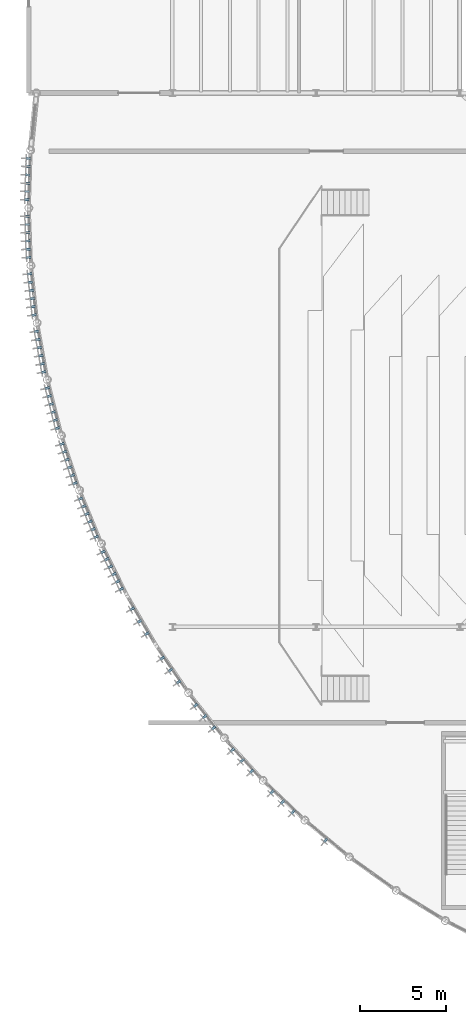
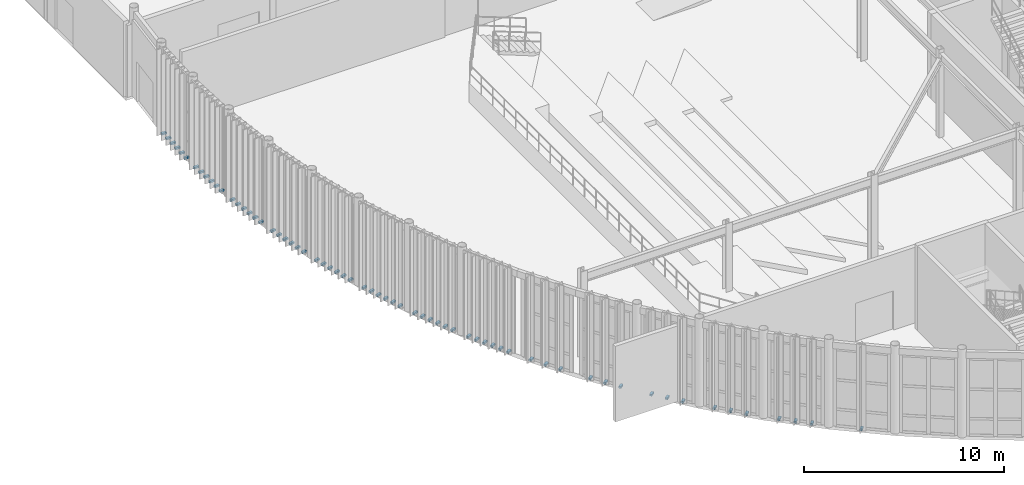
# One storey, part 76 of 87: 64 discrete accessories.
"""IFC4 building model written with IfcOpenShell, lengths in metres."""

from ifc_helpers import new_model, si_unit, direction, frame, origin, origin_2d, place, context, subcontext, project, spatial, rectangle, extrude, material, type_object, element, save


model = new_model("IFC4")

# Units and contexts
model_context = context("Model", 3, precision=1e-05, world=origin(), true_north=direction((0.0, 1.0)))
body_context = subcontext(model_context, "Body", "Model", "MODEL_VIEW")
ifc_project = project(units=[si_unit("LENGTHUNIT", "METRE"), si_unit("AREAUNIT", "SQUARE_METRE"), si_unit("VOLUMEUNIT", "CUBIC_METRE"), si_unit("PLANEANGLEUNIT", "RADIAN"), si_unit("MASSUNIT", "GRAM", prefix="KILO")], contexts=[model_context])

# Site, building, storey
site_placement = place(None, origin())
site = spatial("IfcSite", under=ifc_project, at=site_placement, CompositionType="ELEMENT")
building_placement = place(site_placement, origin())
building = spatial("IfcBuilding", under=site, at=building_placement, Name="Selat Folded Stagehouse", CompositionType="ELEMENT")
storey_placement = place(building_placement, origin())
storey = spatial("IfcBuildingStorey", under=building, at=storey_placement, Name="L00", CompositionType="ELEMENT", Elevation=0.0)

# Discrete accessories
ifc_material = material(Name="Stainless steel 1.4401", Category="steel")
discrete_accessory_type = type_object("IfcDiscreteAccessoryType", Name="ACC-BRK-280x140x110", PredefinedType="BRACKET", material=ifc_material)
for number, where, z_axis, x_axis, name in (
    (1, (-0.025390625, 50.774658203125, 0.02490234375), (0.0, 0.0, 1.0), (-0.99833175459, 0.0577382696, 0.0), "L00 solar fin slab bracket 031"),
    (2, (-0.041259765625, 50.29248046875, 0.02490234375), (0.0, 0.0, 1.0), (-0.998865073158, 0.047629461744, 0.0), "L00 solar fin slab bracket 037"),
    (3, (-0.056884765625, 49.810302734375, 0.02490234375), (0.0, 0.0, 1.0), (-0.999289472641, 0.03769018267, 0.0), "L00 solar fin slab bracket 043"),
    (4, (-0.07275390625, 49.327880859375, 0.02490234375), (0.0, 0.0, 1.0), (-0.999619800631, 0.027572707275, 0.0), "L00 solar fin slab bracket 049"),
    (5, (-0.08837890625, 48.845703125, 0.02490234375), (0.0, 0.0, 1.0), (-0.999844633908, 0.017626912514, 0.0), "L00 solar fin slab bracket 055"),
    (6, (-0.104248046875, 48.363525390625, 0.02490234375), (0.0, 0.0, 1.0), (-0.999971838252, 0.007504845333, 0.0), "L00 solar fin slab bracket 061"),
    (7, (-0.101806640625, 47.399169921875, 0.02490234375), (0.0, 0.0, 1.0), (-0.999921044204, -0.012566039883, 0.0), "L00 solar fin slab bracket 067"),
    (8, (-0.083740234375, 46.9169921875, 0.02490234375), (0.0, 0.0, 1.0), (-0.999746553782, -0.022512845226, 0.0), "L00 solar fin slab bracket 073"),
    (9, (-0.065673828125, 46.434814453125, 0.02490234375), (0.0, 0.0, 1.0), (-0.999467438949, -0.032631862958, 0.0), "L00 solar fin slab bracket 079"),
    (10, (-0.04736328125, 45.95263671875, 0.02490234375), (0.0, 0.0, 1.0), (-0.9990933519, -0.042573162788, 0.0), "L00 solar fin slab bracket 085"),
    (11, (-0.029296875, 45.470703125, 0.02490234375), (0.0, 0.0, 1.0), (-0.998620385197, -0.052510249179, 0.0), "L00 solar fin slab bracket 091"),
    (12, (-0.01123046875, 44.98828125, 0.02490234375), (0.0, 0.0, 1.0), (-0.99803767224, -0.06261633005, 0.0), "L00 solar fin slab bracket 097"),
    (13, (0.058837890625, 44.026611328125, 0.02490234375), (0.0, 0.0, 1.0), (-0.996579940078, -0.08263427276, 0.0), "L00 solar fin slab bracket 103"),
    (14, (0.11083984375, 43.546875, 0.02490234375), (0.0, 0.0, 1.0), (-0.99570856131, -0.092544372783, 0.0), "L00 solar fin slab bracket 109"),
    (15, (0.16259765625, 43.067138671875, 0.02490234375), (0.0, 0.0, 1.0), (-0.994720742649, -0.10261892683, 0.0), "L00 solar fin slab bracket 115"),
    (16, (0.214599609375, 42.58740234375, 0.02490234375), (0.0, 0.0, 1.0), (-0.993650644295, -0.112509542228, 0.0), "L00 solar fin slab bracket 121"),
    (17, (0.2666015625, 42.10791015625, 0.02490234375), (0.0, 0.0, 1.0), (-0.992460828919, -0.122562241583, 0.0), "L00 solar fin slab bracket 127"),
    (18, (0.318359375, 41.628173828125, 0.02490234375), (0.0, 0.0, 1.0), (-0.99119244206, -0.13242938799, 0.0), "L00 solar fin slab bracket 133"),
    (19, (0.455810546875, 40.673583984375, 0.02490234375), (0.0, 0.0, 1.0), (-0.988334944875, -0.152295885498, 0.0), "L00 solar fin slab bracket 139"),
    (20, (0.541015625, 40.19873046875, 0.02490234375), (0.0, 0.0, 1.0), (-0.986770965572, -0.162120515372, 0.0), "L00 solar fin slab bracket 145"),
    (21, (0.62646484375, 39.723876953125, 0.02490234375), (0.0, 0.0, 1.0), (-0.985079303862, -0.172101031672, 0.0), "L00 solar fin slab bracket 151"),
    (22, (0.7119140625, 39.248779296875, 0.02490234375), (0.0, 0.0, 1.0), (-0.983318459858, -0.181892293686, 0.0), "L00 solar fin slab bracket 157"),
    (23, (0.79736328125, 38.774169921875, 0.02490234375), (0.0, 0.0, 1.0), (-0.981426830534, -0.191836848149, 0.0), "L00 solar fin slab bracket 163"),
    (24, (0.8828125, 38.29931640625, 0.02490234375), (0.0, 0.0, 1.0), (-0.979469831173, -0.20159079796, 0.0), "L00 solar fin slab bracket 169"),
    (25, (1.086669921875, 37.356689453125, 0.02490234375), (0.0, 0.0, 1.0), (-0.975226629909, -0.22120809279, 0.0), "L00 solar fin slab bracket 175"),
    (26, (1.205078125, 36.888916015625, 0.02490234375), (0.0, 0.0, 1.0), (-0.972937431695, -0.231068721395, 0.0), "L00 solar fin slab bracket 181"),
    (27, (1.32373046875, 36.421142578125, 0.02490234375), (0.0, 0.0, 1.0), (-0.970590565411, -0.240736275485, 0.0), "L00 solar fin slab bracket 187"),
    (28, (1.442138671875, 35.95361328125, 0.02490234375), (0.0, 0.0, 1.0), (-0.968103926078, -0.25054897388, 0.0), "L00 solar fin slab bracket 193"),
    (29, (1.560791015625, 35.48583984375, 0.02490234375), (0.0, 0.0, 1.0), (-0.965563505285, -0.260167479254, 0.0), "L00 solar fin slab bracket 199"),
    (30, (1.67919921875, 35.01806640625, 0.02490234375), (0.0, 0.0, 1.0), (-0.962880426559, -0.26992829446, 0.0), "L00 solar fin slab bracket 205"),
    (31, (1.94873046875, 34.092041015625, 0.02490234375), (0.0, 0.0, 1.0), (-0.957319497532, -0.289031796944, 0.0), "L00 solar fin slab bracket 211"),
    (32, (2.099853515625, 33.6337890625, 0.02490234375), (0.0, 0.0, 1.0), (-0.954344655307, -0.298707681332, 0.0), "L00 solar fin slab bracket 217"),
    (33, (2.250732421875, 33.175537109375, 0.02490234375), (0.0, 0.0, 1.0), (-0.951325822325, -0.308186923436, 0.0), "L00 solar fin slab bracket 223"),
    (34, (2.40185546875, 32.71728515625, 0.02490234375), (0.0, 0.0, 1.0), (-0.94815738489, -0.317801153992, 0.0), "L00 solar fin slab bracket 229"),
    (35, (2.552978515625, 32.259033203125, 0.02490234375), (0.0, 0.0, 1.0), (-0.944948912158, -0.327217898979, 0.0), "L00 solar fin slab bracket 235"),
    (36, (2.7041015625, 31.80078125, 0.02490234375), (0.0, 0.0, 1.0), (-0.941588155895, -0.336766602676, 0.0), "L00 solar fin slab bracket 241"),
    (37, (3.037841796875, 30.89599609375, 0.02490234375), (0.0, 0.0, 1.0), (-0.93463961469, -0.355596387288, 0.0), "L00 solar fin slab bracket 247"),
    (38, (3.220703125, 30.44970703125, 0.02490234375), (0.0, 0.0, 1.0), (-0.931055815863, -0.364876784338, 0.0), "L00 solar fin slab bracket 253"),
    (39, (3.4033203125, 30.003173828125, 0.02490234375), (0.0, 0.0, 1.0), (-0.927314560446, -0.374282922379, 0.0), "L00 solar fin slab bracket 259"),
    (40, (3.586181640625, 29.556640625, 0.02490234375), (0.0, 0.0, 1.0), (-0.923545226472, -0.383489523534, 0.0), "L00 solar fin slab bracket 265"),
    (41, (3.76904296875, 29.110107421875, 0.02490234375), (0.0, 0.0, 1.0), (-0.91961594401, -0.392818680211, 0.0), "L00 solar fin slab bracket 271"),
    (42, (3.951904296875, 28.66357421875, 0.02490234375), (0.0, 0.0, 1.0), (-0.91566259334, -0.401947776656, 0.0), "L00 solar fin slab bracket 277"),
    (43, (4.348388671875, 27.784423828125, 0.02490234375), (0.0, 0.0, 1.0), (-0.907411091929, -0.420244107924, 0.0), "L00 solar fin slab bracket 283"),
    (44, (4.56201171875, 27.351806640625, 0.02490234375), (0.0, 0.0, 1.0), (-0.903185511225, -0.429250430767, 0.0), "L00 solar fin slab bracket 289"),
    (45, (4.775634765625, 26.919189453125, 0.02490234375), (0.0, 0.0, 1.0), (-0.898794046299, -0.438371146789, 0.0), "L00 solar fin slab bracket 295"),
    (46, (4.9892578125, 26.486572265625, 0.02490234375), (0.0, 0.0, 1.0), (-0.89438856037, -0.447290848419, 0.0), "L00 solar fin slab bracket 301"),
    (47, (5.202880859375, 26.053955078125, 0.02490234375), (0.0, 0.0, 1.0), (-0.889814927768, -0.4563215909, 0.0), "L00 solar fin slab bracket 307"),
    (48, (5.41650390625, 25.621337890625, 0.02490234375), (0.0, 0.0, 1.0), (-0.885231311332, -0.465151078077, 0.0), "L00 solar fin slab bracket 313"),
    (49, (6.056396484375, 24.459716796875, 0.02490234375), (0.0, 0.0, 1.0), (-0.872069272432, -0.489382451749, 0.0), "L00 solar fin slab bracket 319"),
    (50, (6.482421875, 23.73095703125, 0.02490234375), (0.0, 0.0, 1.0), (-0.863307480775, -0.504678307081, 0.0), "L00 solar fin slab bracket 325"),
    (51, (6.90869140625, 23.001953125, 0.02490234375), (0.0, 0.0, 1.0), (-0.854368143929, -0.519668235165, 0.0), "L00 solar fin slab bracket 331"),
    (52, (7.810791015625, 21.57568359375, 0.02490234375), (0.0, 0.0, 1.0), (-0.835615665335, -0.549314536351, 0.0), "L00 solar fin slab bracket 337"),
    (53, (8.287109375, 20.87841796875, 0.02490234375), (0.0, 0.0, 1.0), (-0.82580311972, -0.563958515726, 0.0), "L00 solar fin slab bracket 343"),
    (54, (8.76318359375, 20.18115234375, 0.02490234375), (0.0, 0.0, 1.0), (-0.815733970499, -0.578427255041, 0.0), "L00 solar fin slab bracket 349"),
    (55, (9.763427734375, 18.82177734375, 0.02490234375), (0.0, 0.0, 1.0), (-0.794944353388, -0.606682351002, 0.0), "L00 solar fin slab bracket 355"),
    (56, (10.287353515625, 18.15966796875, 0.02490234375), (0.0, 0.0, 1.0), (-0.784235212544, -0.620463642292, 0.0), "L00 solar fin slab bracket 361"),
    (57, (10.811279296875, 17.49755859375, 0.02490234375), (0.0, 0.0, 1.0), (-0.773176510644, -0.634190888762, 0.0), "L00 solar fin slab bracket 367"),
    (58, (11.904296875, 16.211669921875, 0.02490234375), (0.0, 0.0, 1.0), (-0.750457228874, -0.660919017453, 0.0), "L00 solar fin slab bracket 373"),
    (59, (12.473388671875, 15.587890625, 0.02490234375), (0.0, 0.0, 1.0), (-0.738690671568, -0.674044576967, 0.0), "L00 solar fin slab bracket 379"),
    (60, (13.04248046875, 14.964111328125, 0.02490234375), (0.0, 0.0, 1.0), (-0.726814465487, -0.686833846544, 0.0), "L00 solar fin slab bracket 385"),
    (61, (14.222900390625, 13.758056640625, 0.02490234375), (0.0, 0.0, 1.0), (-0.702277314289, -0.711903486321, 0.0), "L00 solar fin slab bracket 391"),
    (62, (14.83447265625, 13.17578125, 0.02490234375), (0.0, 0.0, 1.0), (-0.689619543736, -0.724171861437, 0.0), "L00 solar fin slab bracket 397"),
    (63, (15.44580078125, 12.59326171875, 0.02490234375), (0.0, 0.0, 1.0), (-0.676875969683, -0.73609708712, 0.0), "L00 solar fin slab bracket 403"),
    (64, (17.35888671875, 10.93505859375, 0.02490234375), (0.0, 0.0, 1.0), (-0.63715499106, -0.770735698776, 0.0), "L00 solar fin slab bracket 409"),
):
    element("IfcDiscreteAccessory", number, at=place(storey_placement, frame(where, z_axis=z_axis, x_axis=x_axis)), inside=storey, type_object=discrete_accessory_type, Name=name, PredefinedType="BRACKET", context=body_context, shape_type="SweptSolid", body=[
        extrude(rectangle(XDim=0.280029296875, YDim=0.139892578125, at=origin_2d()), origin(), (0.0, 0.0, 1.0), 0.110107421875),
    ])

save(model, "model.ifc")
